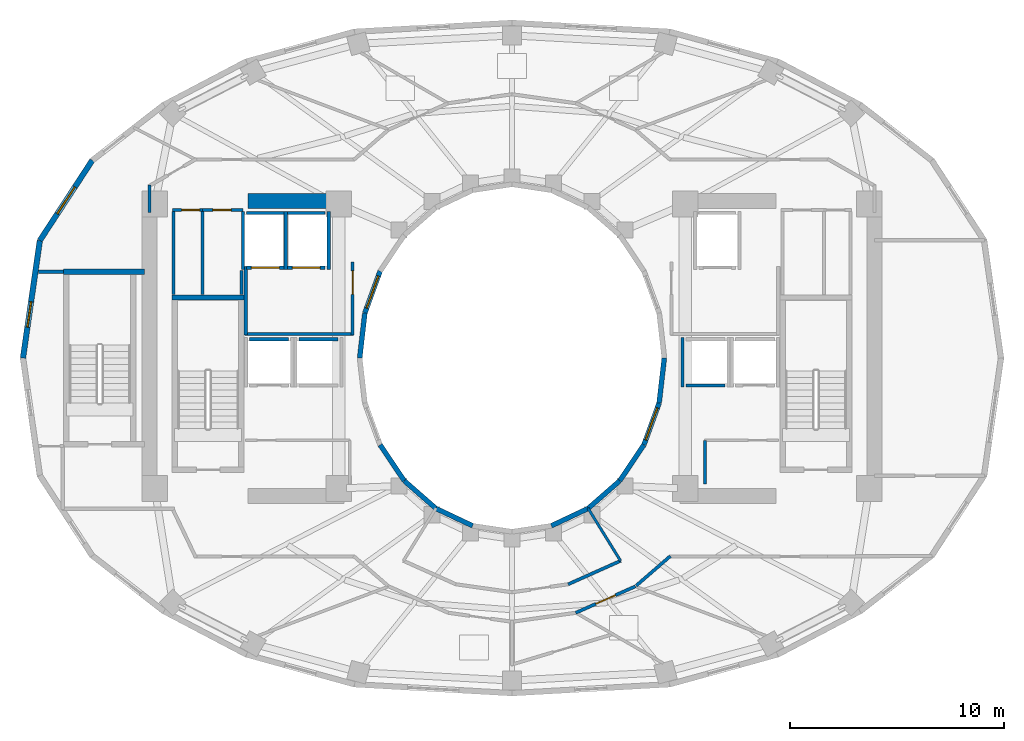
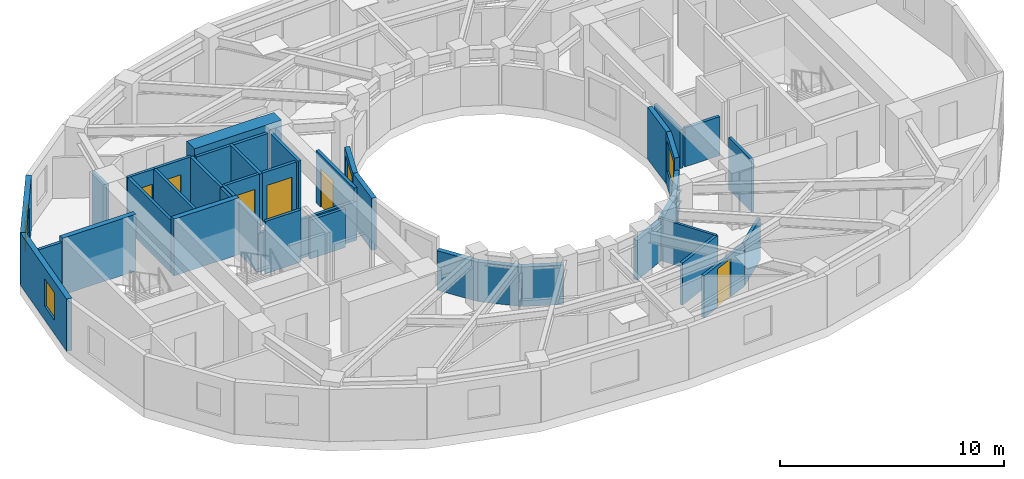
# One storey, part 4 of 9: 41 walls, 6 doors, 4 windows, 10 openings.
"""IFC4 building model written with IfcOpenShell, lengths in metres."""

from ifc_helpers import new_model, si_unit, direction, frame, frame_2d, origin, place, context, subcontext, project, spatial, rectangle, extrude, material, layer, layer_set, type_object, element, fill, save


model = new_model("IFC4")

# Units and contexts
model_context = context("Model", 3, precision=1e-05, world=origin(), true_north=direction((0.0, 1.0)))
body_context = subcontext(model_context, "Body", "Model", "MODEL_VIEW")
ifc_project = project(units=[si_unit("LENGTHUNIT", "METRE"), si_unit("AREAUNIT", "SQUARE_METRE"), si_unit("VOLUMEUNIT", "CUBIC_METRE"), si_unit("PLANEANGLEUNIT", "RADIAN"), si_unit("MASSUNIT", "GRAM", prefix="KILO")], contexts=[model_context])

# Site, building, storey
site_placement = place(None, origin())
site = spatial("IfcSite", under=ifc_project, at=site_placement, CompositionType="ELEMENT")
building_placement = place(site_placement, origin())
building = spatial("IfcBuilding", under=site, at=building_placement, Name="Solvane Sanctuary Tower", CompositionType="ELEMENT")
storey_placement = place(building_placement, frame((0.0, 0.0, 162.199951171875)))
storey = spatial("IfcBuildingStorey", under=building, at=storey_placement, Name="L49", CompositionType="ELEMENT", Elevation=162.199951171875)

# Walls
ifc_material_1 = material(Name="Concrete C60/75", Category="concrete")
ifc_layer_1 = layer(ifc_material_1, 0.699951171875, Name="Concrete C60/75")
ifc_layer_set_1 = layer_set([ifc_layer_1], Name="Concrete C60/75")
wall_type_1 = type_object("IfcWallType", Name="Wall W-CORE-700", PredefinedType="SHEAR", material=ifc_layer_set_1)
wall_1_placement = place(storey_placement, frame((19.64990234375, 30.35009765625, 0.0), z_axis=(0.0, 0.0, 1.0), x_axis=(1.0, 0.0, 0.0)))
element("IfcWall", 1, at=wall_1_placement, inside=storey, type_object=wall_type_1, Name="L49 Core Shear Wall WC-N", PredefinedType="SHEAR", context=body_context, shape_type="SweptSolid", body=[
    extrude(rectangle(XDim=4.5, YDim=0.699951171875, at=frame_2d((2.25, 0.0))), origin(), (0.0, 0.0, 1.0), 3.10009765625),
])
ifc_material_2 = material(Name="Acoustic Gypsum Partition Board")
ifc_layer_2 = layer(ifc_material_2, 0.14990234375, Name="Acoustic Gypsum Partition Board")
ifc_layer_set_2 = layer_set([ifc_layer_2], Name="Acoustic Gypsum Partition Board")
wall_type_2 = type_object("IfcWallType", Name="Wall W-CORR-150", PredefinedType="PARTITIONING", material=ifc_layer_set_2)
wall_2_placement = place(storey_placement, frame((19.52001953125, 24.1201171875, 0.0), z_axis=(0.0, 0.0, 1.0), x_axis=(1.0, 0.0, 0.0)))
element("IfcWall", 2, at=wall_2_placement, inside=storey, type_object=wall_type_2, Name="L49 West Firefighting Lobby South Wall", PredefinedType="PARTITIONING", context=body_context, shape_type="SweptSolid", body=[
    extrude(rectangle(XDim=5.080078125, YDim=0.14990234375, at=frame_2d((2.5400390625, 0.0))), origin(), (0.0, 0.0, 1.0), 2.1201171875),
])
wall_3_placement = place(storey_placement, frame((19.550048828125, 24.080078125, 0.0), z_axis=(0.0, 0.0, 1.0), x_axis=(0.0, 1.0, 0.0)))
element("IfcWall", 3, at=wall_3_placement, inside=storey, type_object=wall_type_2, Name="L49 West Firefighting Lobby West Wall", PredefinedType="PARTITIONING", context=body_context, shape_type="SweptSolid", body=[
    extrude(rectangle(XDim=3.199951171875, YDim=0.14990234375, at=frame_2d((1.60009765625, 0.0))), origin(), (0.0, 0.0, 1.0), 2.85498046875),
])

# Wall, opening, door
wall_4_placement = place(storey_placement, frame((24.550048828125, 24.080078125, 0.0), z_axis=(0.0, 0.0, 1.0), x_axis=(0.0, 1.0, 0.0)))
wall_4 = element("IfcWall", 4, at=wall_4_placement, inside=storey, type_object=wall_type_2, Name="L49 West Firefighting Lobby East Wall", PredefinedType="PARTITIONING", context=body_context, shape_type="SweptSolid", body=[
    extrude(rectangle(XDim=3.39990234375, YDim=0.14990234375, at=frame_2d((1.699951171875, 0.0))), origin(), (0.0, 0.0, 1.0), 2.85498046875),
])
opening_1_placement = place(wall_4_placement, frame((1.893798828125, 0.0, 0.0)))
opening_1 = element("IfcOpeningElement", 5, at=opening_1_placement, cuts=wall_4, Name="Opening D-L49-04", PredefinedType="OPENING", context=body_context, shape_type="SweptSolid", body=[
    extrude(rectangle(XDim=1.10009765625, YDim=2.10009765625, at=frame_2d((0.550048828125, 1.050048828125))), frame((0.0, 0.0849609375, 0.0), z_axis=(0.0, -1.0, 0.0), x_axis=(1.0, 0.0, 0.0)), (0.0, 0.0, 1.0), 0.169921875),
])
ifc_material_3 = material(Name="Architectural Stainless Steel 316", Category="steel")
door_type_1 = type_object("IfcDoorType", Name="Door D-FFL", OperationType="NOTDEFINED", PredefinedType="DOOR", material=ifc_material_3)
door_1_placement = place(opening_1_placement, origin())
door_1 = element("IfcDoor", 6, at=door_1_placement, inside=storey, type_object=door_type_1, Name="L49 West Firefighting Lobby Fire Door", OperationType="SINGLE_SWING_LEFT", OverallHeight=2.10009765625, OverallWidth=1.10009765625, PredefinedType="DOOR", context=body_context, shape_type="SweptSolid", body=[
    extrude(rectangle(XDim=1.10009765625, YDim=2.10009765625, at=frame_2d((0.550048828125, 1.050048828125))), frame((0.0, 0.02490234375, 0.0), z_axis=(0.0, -1.0, 0.0), x_axis=(1.0, 0.0, 0.0)), (0.0, 0.0, 1.0), 0.050048828125),
])
fill(opening_1, door_1)

# Walls
wall_5_placement = place(storey_placement, frame((9.869873046875, 27.030029296875, 0.0), z_axis=(0.0, 0.0, 1.0), x_axis=(1.0, 0.0, 0.0)))
element("IfcWall", 7, at=wall_5_placement, inside=storey, type_object=wall_type_2, Name="L49 NW Corner Closer 1", PredefinedType="PARTITIONING", context=body_context, shape_type="SweptSolid", body=[
    extrude(rectangle(XDim=1.170166015625, YDim=0.14990234375, at=frame_2d((0.5849609375, 0.0))), origin(), (0.0, 0.0, 1.0), 2.85498046875),
])
wall_6_placement = place(storey_placement, frame((15.050048828125, 29.800048828125, 0.0), z_axis=(0.0, 0.0, 1.0), x_axis=(0.0, 1.0, 0.0)))
element("IfcWall", 8, at=wall_6_placement, inside=storey, type_object=wall_type_2, Name="L49 NW Corner Closer 2", PredefinedType="PARTITIONING", context=body_context, shape_type="SweptSolid", body=[
    extrude(rectangle(XDim=1.2900390625, YDim=0.14990234375, at=frame_2d((0.64501953125, 0.0))), origin(), (0.0, 0.0, 1.0), 2.85498046875),
])
wall_7_placement = place(storey_placement, frame((37.806640625, 12.35791015625, 0.0), z_axis=(0.0, 0.0, 1.0), x_axis=(0.756055312247, 0.654507727092, 0.0)))
element("IfcWall", 9, at=wall_7_placement, inside=storey, type_object=wall_type_2, Name="L49 SE Corner Throat Wall", PredefinedType="PARTITIONING", context=body_context, shape_type="SweptSolid", body=[
    extrude(rectangle(XDim=2.11083984375, YDim=0.14990234375, at=frame_2d((1.055419921875, 0.0))), origin(), (0.0, 0.0, 1.0), 2.299072265625),
])
wall_8_placement = place(storey_placement, frame((34.625244140625, 12.422607421875, 0.0), z_axis=(0.0, 0.0, 1.0), x_axis=(0.912888568324, 0.408208845842, 0.0)))
element("IfcWall", 10, at=wall_8_placement, inside=storey, type_object=wall_type_2, Name="L49 Inner Light-Well Corridor Wall S1", PredefinedType="PARTITIONING", context=body_context, shape_type="SweptSolid", body=[
    extrude(rectangle(XDim=2.690185546875, YDim=0.14990234375, at=frame_2d((1.34521484375, 0.0))), origin(), (0.0, 0.0, 1.0), 2.299072265625),
])

# Wall, opening, door
wall_9_placement = place(storey_placement, frame((34.976318359375, 11.087890625, 0.0), z_axis=(0.0, 0.0, 1.0), x_axis=(0.914324470734, 0.404982422108, 0.0)))
wall_9 = element("IfcWall", 11, at=wall_9_placement, inside=storey, type_object=wall_type_2, Name="L49 Unit Corridor Wall S2", PredefinedType="PARTITIONING", context=body_context, shape_type="SweptSolid", body=[
    extrude(rectangle(XDim=3.0576171875, YDim=0.14990234375, at=frame_2d((1.52880859375, 0.0))), origin(), (0.0, 0.0, 1.0), 2.299072265625),
])
opening_2_placement = place(wall_9_placement, frame((1.02880859375, 0.0, 0.0)))
opening_2 = element("IfcOpeningElement", 12, at=opening_2_placement, cuts=wall_9, Name="Opening D-L49-25", PredefinedType="OPENING", context=body_context, shape_type="SweptSolid", body=[
    extrude(rectangle(XDim=1.0, YDim=2.10009765625, at=frame_2d((0.5, 1.050048828125))), frame((0.0, 0.0849609375, 0.0), z_axis=(0.0, -1.0, 0.0), x_axis=(1.0, 0.0, 0.0)), (0.0, 0.0, 1.0), 0.169921875),
])
ifc_material_4 = material(Name="Engineered Tropical Hardwood", Category="wood")
door_type_2 = type_object("IfcDoorType", Name="Door D-UNIT", OperationType="NOTDEFINED", PredefinedType="DOOR", material=ifc_material_4)
door_2_placement = place(opening_2_placement, origin())
door_2 = element("IfcDoor", 13, at=door_2_placement, inside=storey, type_object=door_type_2, Name="L49 Unit Entrance Door S2", OperationType="SINGLE_SWING_RIGHT", OverallHeight=2.10009765625, OverallWidth=1.0, PredefinedType="DOOR", context=body_context, shape_type="SweptSolid", body=[
    extrude(rectangle(XDim=1.0, YDim=2.10009765625, at=frame_2d((0.5, 1.050048828125))), frame((0.0, 0.02490234375, 0.0), z_axis=(0.0, -1.0, 0.0), x_axis=(1.0, 0.0, 0.0)), (0.0, 0.0, 1.0), 0.050048828125),
])
fill(opening_2, door_2)

# Wall, opening, window
ifc_material_5 = material(Name="Precast concrete C40/50", Category="concrete")
ifc_layer_3 = layer(ifc_material_5, 0.260009765625, Name="Precast concrete C40/50")
ifc_layer_set_3 = layer_set([ifc_layer_3], Name="Precast concrete C40/50")
wall_type_3 = type_object("IfcWallType", Name="Wall W-EXT-250", PredefinedType="STANDARD", material=ifc_layer_set_3)
wall_10_placement = place(storey_placement, frame((12.380859375, 32.243408203125, 0.0), z_axis=(0.0, 0.0, 1.0), x_axis=(-0.547456494366, -0.836834145322, 0.0)))
wall_10 = element("IfcWall", 14, at=wall_10_placement, inside=storey, type_object=wall_type_3, Name="L49 Ceramic-Printed Facade Wall 10", PredefinedType="STANDARD", context=body_context, shape_type="SweptSolid", body=[
    extrude(rectangle(XDim=4.477294921875, YDim=0.260009765625, at=frame_2d((2.23876953125, 0.0))), origin(), (0.0, 0.0, 1.0), 2.85009765625),
])
opening_3_placement = place(wall_10_placement, frame((1.48876953125, 0.0, 0.75)))
opening_3 = element("IfcOpeningElement", 15, at=opening_3_placement, cuts=wall_10, Name="Opening WN-OPER-1500", PredefinedType="OPENING", context=body_context, shape_type="SweptSolid", body=[
    extrude(rectangle(XDim=1.5, YDim=1.60009765625, at=frame_2d((0.75, 0.800048828125))), frame((0.0, 0.139892578125, 0.0), z_axis=(0.0, -1.0, 0.0), x_axis=(1.0, 0.0, 0.0)), (0.0, 0.0, 1.0), 0.280029296875),
])
ifc_material_6 = material(Name="Dark Ceramic-Fritted Low-E Glass", Category="glass")
window_type_1 = type_object("IfcWindowType", Name="Window WN-OPER-1500", PartitioningType="SINGLE_PANEL", PredefinedType="WINDOW", material=ifc_material_6)
window_1_placement = place(opening_3_placement, origin())
window_1 = element("IfcWindow", 16, at=window_1_placement, inside=storey, type_object=window_type_1, Name="L49 Operable Facade Window 10", OverallHeight=1.60009765625, OverallWidth=1.5, PartitioningType="SINGLE_PANEL", PredefinedType="WINDOW", context=body_context, shape_type="SweptSolid", body=[
    extrude(rectangle(XDim=1.5, YDim=1.60009765625, at=frame_2d((0.75, 0.800048828125))), frame((0.0, 0.030029296875, 0.0), z_axis=(0.0, -1.0, 0.0), x_axis=(1.0, 0.0, 0.0)), (0.0, 0.0, 1.0), 0.06005859375),
])
fill(opening_3, window_1)

wall_11_placement = place(storey_placement, frame((9.9296875, 28.49658203125, 0.0), z_axis=(0.0, 0.0, 1.0), x_axis=(-0.142227632286, -0.989833976288, 0.0)))
wall_11 = element("IfcWall", 17, at=wall_11_placement, inside=storey, type_object=wall_type_3, Name="L49 Ceramic-Printed Facade Wall 11", PredefinedType="STANDARD", context=body_context, shape_type="SweptSolid", body=[
    extrude(rectangle(XDim=5.552978515625, YDim=0.260009765625, at=frame_2d((2.7763671875, 0.0))), origin(), (0.0, 0.0, 1.0), 2.85009765625),
])
opening_4_placement = place(wall_11_placement, frame((2.892333984375, 0.0, 0.75)))
opening_4 = element("IfcOpeningElement", 18, at=opening_4_placement, cuts=wall_11, Name="Opening WN-OPER-1200", PredefinedType="OPENING", context=body_context, shape_type="SweptSolid", body=[
    extrude(rectangle(XDim=1.199951171875, YDim=1.5, at=frame_2d((0.60009765625, 0.75))), frame((0.0, 0.139892578125, 0.0), z_axis=(0.0, -1.0, 0.0), x_axis=(1.0, 0.0, 0.0)), (0.0, 0.0, 1.0), 0.280029296875),
])
window_type_2 = type_object("IfcWindowType", Name="Window WN-OPER-1200", PartitioningType="SINGLE_PANEL", PredefinedType="WINDOW", material=ifc_material_6)
window_2_placement = place(opening_4_placement, origin())
window_2 = element("IfcWindow", 19, at=window_2_placement, inside=storey, type_object=window_type_2, Name="L49 Operable Facade Window 11", OverallHeight=1.5, OverallWidth=1.199951171875, PartitioningType="SINGLE_PANEL", PredefinedType="WINDOW", context=body_context, shape_type="SweptSolid", body=[
    extrude(rectangle(XDim=1.199951171875, YDim=1.5, at=frame_2d((0.60009765625, 0.75))), frame((0.0, 0.030029296875, 0.0), z_axis=(0.0, -1.0, 0.0), x_axis=(1.0, 0.0, 0.0)), (0.0, 0.0, 1.0), 0.06005859375),
])
fill(opening_4, window_2)

ifc_layer_4 = layer(ifc_material_5, 0.22998046875, Name="Precast concrete C40/50")
ifc_layer_set_4 = layer_set([ifc_layer_4], Name="Precast concrete C40/50")
wall_type_4 = type_object("IfcWallType", Name="Wall W-EXT-SP220", PredefinedType="STANDARD", material=ifc_layer_set_4)
wall_12_placement = place(storey_placement, frame((25.833984375, 27.06005859375, 0.0), z_axis=(0.0, 0.0, 1.0), x_axis=(-0.341423187295, -0.93990968033, 0.0)))
wall_12 = element("IfcWall", 20, at=wall_12_placement, inside=storey, type_object=wall_type_4, Name="L49 Central Light-Well Wall 10", PredefinedType="STANDARD", context=body_context, shape_type="SweptSolid", body=[
    extrude(rectangle(XDim=2.083740234375, YDim=0.22998046875, at=frame_2d((1.0419921875, 0.0))), origin(), (0.0, 0.0, 1.0), 2.840087890625),
])
opening_5_placement = place(wall_12_placement, frame((0.24169921875, 0.0, 0.85009765625)))
opening_5 = element("IfcOpeningElement", 21, at=opening_5_placement, cuts=wall_12, Name="Opening WN-WELL-1600", PredefinedType="OPENING", context=body_context, shape_type="SweptSolid", body=[
    extrude(rectangle(XDim=1.60009765625, YDim=1.64990234375, at=frame_2d((0.800048828125, 0.824951171875))), frame((0.0, 0.125, 0.0), z_axis=(0.0, -1.0, 0.0), x_axis=(1.0, 0.0, 0.0)), (0.0, 0.0, 1.0), 0.25),
])
ifc_material_7 = material(Name="Clear Laminated Light-Well Glass", Category="glass")
window_type_3 = type_object("IfcWindowType", Name="Window WN-WELL-1600", PartitioningType="SINGLE_PANEL", PredefinedType="WINDOW", material=ifc_material_7)
window_3_placement = place(opening_5_placement, origin())
window_3 = element("IfcWindow", 22, at=window_3_placement, inside=storey, type_object=window_type_3, Name="L49 Light-Well Daylight Window 10", OverallHeight=1.64990234375, OverallWidth=1.60009765625, PartitioningType="SINGLE_PANEL", PredefinedType="WINDOW", context=body_context, shape_type="SweptSolid", body=[
    extrude(rectangle(XDim=1.60009765625, YDim=1.64990234375, at=frame_2d((0.800048828125, 0.824951171875))), frame((0.0, 0.030029296875, 0.0), z_axis=(0.0, -1.0, 0.0), x_axis=(1.0, 0.0, 0.0)), (0.0, 0.0, 1.0), 0.06005859375),
])
fill(opening_5, window_3)

# Walls
wall_13_placement = place(storey_placement, frame((25.12255859375, 25.1015625, 0.0), z_axis=(0.0, 0.0, 1.0), x_axis=(-0.114711713601, -0.993398823617, 0.0)))
element("IfcWall", 23, at=wall_13_placement, inside=storey, type_object=wall_type_4, Name="L49 Central Light-Well Wall 11", PredefinedType="STANDARD", context=body_context, shape_type="SweptSolid", body=[
    extrude(rectangle(XDim=2.115478515625, YDim=0.22998046875, at=frame_2d((1.0576171875, 0.0))), origin(), (0.0, 0.0, 1.0), 2.840087890625),
])
wall_14_placement = place(storey_placement, frame((25.833984375, 18.93994140625, 0.0), z_axis=(0.0, 0.0, 1.0), x_axis=(0.558197800898, -0.829707909492, 0.0)))
element("IfcWall", 24, at=wall_14_placement, inside=storey, type_object=wall_type_4, Name="L49 Central Light-Well Wall 14", PredefinedType="STANDARD", context=body_context, shape_type="SweptSolid", body=[
    extrude(rectangle(XDim=2.02685546875, YDim=0.22998046875, at=frame_2d((1.013427734375, 0.0))), origin(), (0.0, 0.0, 1.0), 2.16015625),
])
wall_15_placement = place(storey_placement, frame((26.96533203125, 17.25830078125, 0.0), z_axis=(0.0, 0.0, 1.0), x_axis=(0.752576694707, -0.658504607869, 0.0)))
element("IfcWall", 25, at=wall_15_placement, inside=storey, type_object=wall_type_4, Name="L49 Central Light-Well Wall 15", PredefinedType="STANDARD", context=body_context, shape_type="SweptSolid", body=[
    extrude(rectangle(XDim=1.95947265625, YDim=0.22998046875, at=frame_2d((0.979736328125, 0.0))), origin(), (0.0, 0.0, 1.0), 2.16015625),
])
for number, where, z_axis, x_axis, name in (
    (26, (28.43994140625, 15.968017578125, 0.0), (0.0, 0.0, 1.0), (0.904179699603, -0.427152280606, 0.0), "L49 Central Light-Well Wall 16"),
    (27, (33.8427734375, 15.15673828125, 0.0), (0.0, 0.0, 1.0), (0.904179699603, 0.427152280606, 0.0), "L49 Central Light-Well Wall 19"),
):
    element("IfcWall", number, at=place(storey_placement, frame(where, z_axis=z_axis, x_axis=x_axis)), inside=storey, type_object=wall_type_4, Name=name, PredefinedType="STANDARD", context=body_context, shape_type="SweptSolid", body=[
        extrude(rectangle(XDim=1.899169921875, YDim=0.22998046875, at=frame_2d((0.94970703125, 0.0))), origin(), (0.0, 0.0, 1.0), 2.16015625),
    ])
wall_16_placement = place(storey_placement, frame((35.56005859375, 15.968017578125, 0.0), z_axis=(0.0, 0.0, 1.0), x_axis=(0.752576694707, 0.658504607869, 0.0)))
element("IfcWall", 28, at=wall_16_placement, inside=storey, type_object=wall_type_4, Name="L49 Central Light-Well Wall 20", PredefinedType="STANDARD", context=body_context, shape_type="SweptSolid", body=[
    extrude(rectangle(XDim=1.95947265625, YDim=0.22998046875, at=frame_2d((0.979736328125, 0.0))), origin(), (0.0, 0.0, 1.0), 2.16015625),
])
wall_17_placement = place(storey_placement, frame((37.03466796875, 17.25830078125, 0.0), z_axis=(0.0, 0.0, 1.0), x_axis=(0.558197800898, 0.829707909492, 0.0)))
element("IfcWall", 29, at=wall_17_placement, inside=storey, type_object=wall_type_4, Name="L49 Central Light-Well Wall 21", PredefinedType="STANDARD", context=body_context, shape_type="SweptSolid", body=[
    extrude(rectangle(XDim=2.02685546875, YDim=0.22998046875, at=frame_2d((1.013427734375, 0.0))), origin(), (0.0, 0.0, 1.0), 2.16015625),
])

# Wall, opening, window
wall_18_placement = place(storey_placement, frame((38.166015625, 18.93994140625, 0.0), z_axis=(0.0, 0.0, 1.0), x_axis=(0.341423187295, 0.93990968033, 0.0)))
wall_18 = element("IfcWall", 30, at=wall_18_placement, inside=storey, type_object=wall_type_4, Name="L49 Central Light-Well Wall 22", PredefinedType="STANDARD", context=body_context, shape_type="SweptSolid", body=[
    extrude(rectangle(XDim=2.083740234375, YDim=0.22998046875, at=frame_2d((1.0419921875, 0.0))), origin(), (0.0, 0.0, 1.0), 2.840087890625),
])
opening_6_placement = place(wall_18_placement, frame((0.24169921875, 0.0, 0.85009765625)))
opening_6 = element("IfcOpeningElement", 31, at=opening_6_placement, cuts=wall_18, Name="Opening WN-WELL-1600", PredefinedType="OPENING", context=body_context, shape_type="SweptSolid", body=[
    extrude(rectangle(XDim=1.60009765625, YDim=1.64990234375, at=frame_2d((0.800048828125, 0.824951171875))), frame((0.0, 0.125, 0.0), z_axis=(0.0, -1.0, 0.0), x_axis=(1.0, 0.0, 0.0)), (0.0, 0.0, 1.0), 0.25),
])
window_4_placement = place(opening_6_placement, origin())
window_4 = element("IfcWindow", 32, at=window_4_placement, inside=storey, type_object=window_type_3, Name="L49 Light-Well Daylight Window 22", OverallHeight=1.64990234375, OverallWidth=1.60009765625, PartitioningType="SINGLE_PANEL", PredefinedType="WINDOW", context=body_context, shape_type="SweptSolid", body=[
    extrude(rectangle(XDim=1.60009765625, YDim=1.64990234375, at=frame_2d((0.800048828125, 0.824951171875))), frame((0.0, 0.030029296875, 0.0), z_axis=(0.0, -1.0, 0.0), x_axis=(1.0, 0.0, 0.0)), (0.0, 0.0, 1.0), 0.06005859375),
])
fill(opening_6, window_4)

# Walls
wall_19_placement = place(storey_placement, frame((38.87744140625, 20.8984375, 0.0), z_axis=(0.0, 0.0, 1.0), x_axis=(0.114711713601, 0.993398823617, 0.0)))
element("IfcWall", 33, at=wall_19_placement, inside=storey, type_object=wall_type_4, Name="L49 Central Light-Well Wall 23", PredefinedType="STANDARD", context=body_context, shape_type="SweptSolid", body=[
    extrude(rectangle(XDim=2.115478515625, YDim=0.22998046875, at=frame_2d((1.0576171875, 0.0))), origin(), (0.0, 0.0, 1.0), 2.840087890625),
])
ifc_layer_5 = layer(ifc_material_2, 0.125, Name="Acoustic Gypsum Partition Board")
ifc_layer_set_5 = layer_set([ifc_layer_5], Name="Acoustic Gypsum Partition Board")
wall_type_5 = type_object("IfcWallType", Name="Wall W-PART-125", PredefinedType="PARTITIONING", material=ifc_layer_set_5)
wall_20_placement = place(storey_placement, frame((41.02001953125, 17.10009765625, 0.0), z_axis=(0.0, 0.0, 1.0), x_axis=(0.0, 1.0, 0.0)))
element("IfcWall", 34, at=wall_20_placement, inside=storey, type_object=wall_type_5, Name="L49 Reclaimed Room Closer Wall PLE-1", PredefinedType="PARTITIONING", context=body_context, shape_type="SweptSolid", body=[
    extrude(rectangle(XDim=2.039794921875, YDim=0.125, at=frame_2d((1.02001953125, 0.0))), origin(), (0.0, 0.0, 1.0), 2.85498046875),
])
wall_21_placement = place(storey_placement, frame((35.550048828125, 15.985107421875, 0.0), z_axis=(0.0, 0.0, 1.0), x_axis=(0.525627246902, -0.850714991824, 0.0)))
element("IfcWall", 35, at=wall_21_placement, inside=storey, type_object=wall_type_5, Name="L49 Inner Light-Well Radial Wall 300", PredefinedType="PARTITIONING", context=body_context, shape_type="SweptSolid", body=[
    extrude(rectangle(XDim=2.901123046875, YDim=0.125, at=frame_2d((1.45068359375, 0.0))), origin(), (0.0, 0.0, 1.0), 2.299072265625),
])
ifc_material_8 = material(Name="Concrete C50/60", Category="concrete")
ifc_layer_6 = layer(ifc_material_8, 0.14990234375, Name="Concrete C50/60")
ifc_layer_set_6 = layer_set([ifc_layer_6], Name="Concrete C50/60")
wall_type_6 = type_object("IfcWallType", Name="Wall W-SHAFT-150", PredefinedType="SOLIDWALL", material=ifc_layer_set_6)
wall_22_placement = place(storey_placement, frame((19.739990234375, 23.8798828125, 0.0), z_axis=(0.0, 0.0, 1.0), x_axis=(1.0, 0.0, 0.0)))
element("IfcWall", 36, at=wall_22_placement, inside=storey, type_object=wall_type_6, Name="L49 PM-1 Lift Shaft Wall B", PredefinedType="SOLIDWALL", context=body_context, shape_type="SweptSolid", body=[
    extrude(rectangle(XDim=1.820068359375, YDim=0.14990234375, at=frame_2d((0.91015625, 0.0))), origin(), (0.0, 0.0, 1.0), 2.85498046875),
])
for number, where, z_axis, x_axis, name in (
    (37, (22.0400390625, 23.8798828125, 0.0), (0.0, 0.0, 1.0), (1.0, 0.0, 0.0), "L49 PH-1 Lift Shaft Wall B"),
    (38, (40.139892578125, 21.719970703125, 0.0), (0.0, 0.0, 1.0), (1.0, 0.0, 0.0), "L49 PH-2 Lift Shaft Wall F"),
):
    element("IfcWall", number, at=place(storey_placement, frame(where, z_axis=z_axis, x_axis=x_axis)), inside=storey, type_object=wall_type_6, Name=name, PredefinedType="SOLIDWALL", context=body_context, shape_type="SweptSolid", body=[
        extrude(rectangle(XDim=1.820068359375, YDim=0.14990234375, at=frame_2d((0.91015625, 0.0))), origin(), (0.0, 0.0, 1.0), 2.1201171875),
    ])
wall_23_placement = place(storey_placement, frame((39.969970703125, 21.639892578125, 0.0), z_axis=(0.0, 0.0, 1.0), x_axis=(0.0, 1.0, 0.0)))
element("IfcWall", 39, at=wall_23_placement, inside=storey, type_object=wall_type_6, Name="L49 PH-2 Lift Shaft Wall S1", PredefinedType="SOLIDWALL", context=body_context, shape_type="SweptSolid", body=[
    extrude(rectangle(XDim=2.320068359375, YDim=0.14990234375, at=frame_2d((1.16015625, 0.0))), origin(), (0.0, 0.0, 1.0), 2.1201171875),
])

# Wall, opening, door
wall_24_placement = place(storey_placement, frame((19.590087890625, 27.219970703125, 0.0), z_axis=(0.0, 0.0, 1.0), x_axis=(1.0, 0.0, 0.0)))
wall_24 = element("IfcWall", 40, at=wall_24_placement, inside=storey, type_object=wall_type_6, Name="L49 FFL-1 Lift Shaft Wall F", PredefinedType="SOLIDWALL", context=body_context, shape_type="SweptSolid", body=[
    extrude(rectangle(XDim=1.760009765625, YDim=0.14990234375, at=frame_2d((0.8798828125, 0.0))), origin(), (0.0, 0.0, 1.0), 2.85498046875),
])
opening_7_placement = place(wall_24_placement, frame((0.22998046875, 0.0, 0.0)))
opening_7 = element("IfcOpeningElement", 41, at=opening_7_placement, cuts=wall_24, Name="Opening LD-L49-03", PredefinedType="OPENING", context=body_context, shape_type="SweptSolid", body=[
    extrude(rectangle(XDim=1.300048828125, YDim=2.10009765625, at=frame_2d((0.64990234375, 1.050048828125))), frame((0.0, 0.0849609375, 0.0), z_axis=(0.0, -1.0, 0.0), x_axis=(1.0, 0.0, 0.0)), (0.0, 0.0, 1.0), 0.169921875),
])
door_type_3 = type_object("IfcDoorType", Name="Door LD-FFL-1300", OperationType="NOTDEFINED", PredefinedType="DOOR", material=ifc_material_3)
door_3_placement = place(opening_7_placement, origin())
door_3 = element("IfcDoor", 42, at=door_3_placement, inside=storey, type_object=door_type_3, Name="L49 FFL-1 Lift Landing Door", OperationType="DOUBLE_DOOR_SLIDING", OverallHeight=2.10009765625, OverallWidth=1.300048828125, PredefinedType="DOOR", context=body_context, shape_type="SweptSolid", body=[
    extrude(rectangle(XDim=1.300048828125, YDim=2.10009765625, at=frame_2d((0.64990234375, 1.050048828125))), frame((0.0, 0.02490234375, 0.0), z_axis=(0.0, -1.0, 0.0), x_axis=(1.0, 0.0, 0.0)), (0.0, 0.0, 1.0), 0.050048828125),
])
fill(opening_7, door_3)

# Walls
wall_25_placement = place(storey_placement, frame((19.590087890625, 29.780029296875, 0.0), z_axis=(0.0, 0.0, 1.0), x_axis=(1.0, 0.0, 0.0)))
element("IfcWall", 43, at=wall_25_placement, inside=storey, type_object=wall_type_6, Name="L49 FFL-1 Lift Shaft Wall B", PredefinedType="SOLIDWALL", context=body_context, shape_type="SweptSolid", body=[
    extrude(rectangle(XDim=1.760009765625, YDim=0.14990234375, at=frame_2d((0.8798828125, 0.0))), origin(), (0.0, 0.0, 1.0), 2.85498046875),
])
for number, where, z_axis, x_axis, name in (
    (44, (19.419921875, 27.139892578125, 0.0), (0.0, 0.0, 1.0), (0.0, 1.0, 0.0), "L49 FFL-1 Lift Shaft Wall S1"),
    (45, (21.425048828125, 27.139892578125, 0.0), (0.0, 0.0, 1.0), (0.0, 1.0, 0.0), "L49 FFL-1 Lift Shaft Wall S2"),
):
    element("IfcWall", number, at=place(storey_placement, frame(where, z_axis=z_axis, x_axis=x_axis)), inside=storey, type_object=wall_type_6, Name=name, PredefinedType="SOLIDWALL", context=body_context, shape_type="SweptSolid", body=[
        extrude(rectangle(XDim=2.72021484375, YDim=0.14990234375, at=frame_2d((1.360107421875, 0.0))), origin(), (0.0, 0.0, 1.0), 2.85498046875),
    ])

# Wall, opening, door
wall_26_placement = place(storey_placement, frame((21.5, 27.219970703125, 0.0), z_axis=(0.0, 0.0, 1.0), x_axis=(1.0, 0.0, 0.0)))
wall_26 = element("IfcWall", 46, at=wall_26_placement, inside=storey, type_object=wall_type_6, Name="L49 SVL-1 Lift Shaft Wall F", PredefinedType="SOLIDWALL", context=body_context, shape_type="SweptSolid", body=[
    extrude(rectangle(XDim=1.760009765625, YDim=0.14990234375, at=frame_2d((0.8798828125, 0.0))), origin(), (0.0, 0.0, 1.0), 2.85498046875),
])
opening_8_placement = place(wall_26_placement, frame((0.22998046875, 0.0, 0.0)))
opening_8 = element("IfcOpeningElement", 47, at=opening_8_placement, cuts=wall_26, Name="Opening LD-L49-04", PredefinedType="OPENING", context=body_context, shape_type="SweptSolid", body=[
    extrude(rectangle(XDim=1.300048828125, YDim=2.10009765625, at=frame_2d((0.64990234375, 1.050048828125))), frame((0.0, 0.0849609375, 0.0), z_axis=(0.0, -1.0, 0.0), x_axis=(1.0, 0.0, 0.0)), (0.0, 0.0, 1.0), 0.169921875),
])
door_4_placement = place(opening_8_placement, origin())
door_4 = element("IfcDoor", 48, at=door_4_placement, inside=storey, type_object=door_type_3, Name="L49 SVL-1 Lift Landing Door", OperationType="DOUBLE_DOOR_SLIDING", OverallHeight=2.10009765625, OverallWidth=1.300048828125, PredefinedType="DOOR", context=body_context, shape_type="SweptSolid", body=[
    extrude(rectangle(XDim=1.300048828125, YDim=2.10009765625, at=frame_2d((0.64990234375, 1.050048828125))), frame((0.0, 0.02490234375, 0.0), z_axis=(0.0, -1.0, 0.0), x_axis=(1.0, 0.0, 0.0)), (0.0, 0.0, 1.0), 0.050048828125),
])
fill(opening_8, door_4)

# Walls
wall_27_placement = place(storey_placement, frame((21.5, 29.780029296875, 0.0), z_axis=(0.0, 0.0, 1.0), x_axis=(1.0, 0.0, 0.0)))
element("IfcWall", 49, at=wall_27_placement, inside=storey, type_object=wall_type_6, Name="L49 SVL-1 Lift Shaft Wall B", PredefinedType="SOLIDWALL", context=body_context, shape_type="SweptSolid", body=[
    extrude(rectangle(XDim=1.760009765625, YDim=0.14990234375, at=frame_2d((0.8798828125, 0.0))), origin(), (0.0, 0.0, 1.0), 2.85498046875),
])
wall_28_placement = place(storey_placement, frame((23.429931640625, 27.139892578125, 0.0), z_axis=(0.0, 0.0, 1.0), x_axis=(0.0, 1.0, 0.0)))
element("IfcWall", 50, at=wall_28_placement, inside=storey, type_object=wall_type_6, Name="L49 SVL-1 Lift Shaft Wall S2", PredefinedType="SOLIDWALL", context=body_context, shape_type="SweptSolid", body=[
    extrude(rectangle(XDim=2.72021484375, YDim=0.14990234375, at=frame_2d((1.360107421875, 0.0))), origin(), (0.0, 0.0, 1.0), 2.85498046875),
])
ifc_layer_7 = layer(ifc_material_8, 0.25, Name="Concrete C50/60")
ifc_layer_set_7 = layer_set([ifc_layer_7], Name="Concrete C50/60")
wall_type_7 = type_object("IfcWallType", Name="Wall W-SHAFT-250", PredefinedType="SOLIDWALL", material=ifc_layer_set_7)
wall_29_placement = place(storey_placement, frame((16.10498046875, 25.830078125, 0.0), z_axis=(0.0, 0.0, 1.0), x_axis=(1.0, 0.0, 0.0)))
element("IfcWall", 51, at=wall_29_placement, inside=storey, type_object=wall_type_7, Name="L49 ST-1 Load-Bearing Shaft Wall N", PredefinedType="SOLIDWALL", context=body_context, shape_type="SweptSolid", body=[
    extrude(rectangle(XDim=3.3701171875, YDim=0.25, at=frame_2d((1.68505859375, 0.0))), origin(), (0.0, 0.0, 1.0), 3.10009765625),
])
wall_30_placement = place(storey_placement, frame((11.044921875, 27.030029296875, 0.0), z_axis=(0.0, 0.0, 1.0), x_axis=(1.0, 0.0, 0.0)))
element("IfcWall", 52, at=wall_30_placement, inside=storey, type_object=wall_type_7, Name="L49 ST-3 Load-Bearing Shaft Wall N", PredefinedType="SOLIDWALL", context=body_context, shape_type="SweptSolid", body=[
    extrude(rectangle(XDim=3.781982421875, YDim=0.25, at=frame_2d((1.89111328125, 0.0))), origin(), (0.0, 0.0, 1.0), 3.10009765625),
])

# Wall, opening, door
ifc_layer_8 = layer(ifc_material_2, 0.139892578125, Name="Acoustic Gypsum Partition Board")
ifc_layer_set_8 = layer_set([ifc_layer_8], Name="Acoustic Gypsum Partition Board")
wall_type_8 = type_object("IfcWallType", Name="Wall W-WET-140", PredefinedType="PLUMBINGWALL", material=ifc_layer_set_8)
wall_31_placement = place(storey_placement, frame((16.1201171875, 29.919921875, 0.0), z_axis=(0.0, 0.0, 1.0), x_axis=(1.0, 0.0, 0.0)))
wall_31 = element("IfcWall", 53, at=wall_31_placement, inside=storey, type_object=wall_type_8, Name="L49 Core Service Front Wall KW1", PredefinedType="PLUMBINGWALL", context=body_context, shape_type="SweptSolid", body=[
    extrude(rectangle(XDim=1.39990234375, YDim=0.139892578125, at=frame_2d((0.699951171875, 0.0))), origin(), (0.0, 0.0, 1.0), 2.85498046875),
])
opening_9_placement = place(wall_31_placement, frame((0.429931640625, 0.0, 0.0)))
opening_9 = element("IfcOpeningElement", 54, at=opening_9_placement, cuts=wall_31, Name="Opening D-L49-08", PredefinedType="OPENING", context=body_context, shape_type="SweptSolid", body=[
    extrude(rectangle(XDim=0.85009765625, YDim=2.050048828125, at=frame_2d((0.425048828125, 1.02490234375))), frame((0.0, 0.079833984375, 0.0), z_axis=(0.0, -1.0, 0.0), x_axis=(1.0, 0.0, 0.0)), (0.0, 0.0, 1.0), 0.159912109375),
])
door_type_4 = type_object("IfcDoorType", Name="Door D-RISER", OperationType="NOTDEFINED", PredefinedType="DOOR", material=ifc_material_3)
door_5_placement = place(opening_9_placement, origin())
door_5 = element("IfcDoor", 55, at=door_5_placement, inside=storey, type_object=door_type_4, Name="L49 Core Service Room Door KW1-1", OperationType="SINGLE_SWING_LEFT", OverallHeight=2.050048828125, OverallWidth=0.85009765625, PredefinedType="DOOR", context=body_context, shape_type="SweptSolid", body=[
    extrude(rectangle(XDim=0.85009765625, YDim=2.050048828125, at=frame_2d((0.425048828125, 1.02490234375))), frame((0.0, 0.02490234375, 0.0), z_axis=(0.0, -1.0, 0.0), x_axis=(1.0, 0.0, 0.0)), (0.0, 0.0, 1.0), 0.050048828125),
])
fill(opening_9, door_5)

# Walls
for number, where, z_axis, x_axis, name in (
    (56, (16.179931640625, 25.97998046875, 0.0), (0.0, 0.0, 1.0), (0.0, 1.0, 0.0), "L49 Core Service Side Wall KW1-1"),
    (57, (17.52001953125, 25.97998046875, 0.0), (0.0, 0.0, 1.0), (0.0, 1.0, 0.0), "L49 Core Service Side Wall KW1-2"),
):
    element("IfcWall", number, at=place(storey_placement, frame(where, z_axis=z_axis, x_axis=x_axis)), inside=storey, type_object=wall_type_8, Name=name, PredefinedType="PLUMBINGWALL", context=body_context, shape_type="SweptSolid", body=[
        extrude(rectangle(XDim=3.880126953125, YDim=0.139892578125, at=frame_2d((1.93994140625, 0.0))), origin(), (0.0, 0.0, 1.0), 2.85498046875),
    ])

# Wall, opening, door
wall_32_placement = place(storey_placement, frame((17.52001953125, 29.919921875, 0.0), z_axis=(0.0, 0.0, 1.0), x_axis=(1.0, 0.0, 0.0)))
wall_32 = element("IfcWall", 58, at=wall_32_placement, inside=storey, type_object=wall_type_8, Name="L49 Core Service Front Wall KW2", PredefinedType="PLUMBINGWALL", context=body_context, shape_type="SweptSolid", body=[
    extrude(rectangle(XDim=1.89990234375, YDim=0.139892578125, at=frame_2d((0.949951171875, 0.0))), origin(), (0.0, 0.0, 1.0), 2.85498046875),
])
opening_10_placement = place(wall_32_placement, frame((0.5, 0.0, 0.0)))
opening_10 = element("IfcOpeningElement", 59, at=opening_10_placement, cuts=wall_32, Name="Opening D-L49-09", PredefinedType="OPENING", context=body_context, shape_type="SweptSolid", body=[
    extrude(rectangle(XDim=0.85009765625, YDim=2.050048828125, at=frame_2d((0.425048828125, 1.02490234375))), frame((0.0, 0.079833984375, 0.0), z_axis=(0.0, -1.0, 0.0), x_axis=(1.0, 0.0, 0.0)), (0.0, 0.0, 1.0), 0.159912109375),
])
door_6_placement = place(opening_10_placement, origin())
door_6 = element("IfcDoor", 60, at=door_6_placement, inside=storey, type_object=door_type_4, Name="L49 Core Service Room Door KW2-1", OperationType="SINGLE_SWING_RIGHT", OverallHeight=2.050048828125, OverallWidth=0.85009765625, PredefinedType="DOOR", context=body_context, shape_type="SweptSolid", body=[
    extrude(rectangle(XDim=0.85009765625, YDim=2.050048828125, at=frame_2d((0.425048828125, 1.02490234375))), frame((0.0, 0.02490234375, 0.0), z_axis=(0.0, -1.0, 0.0), x_axis=(1.0, 0.0, 0.0)), (0.0, 0.0, 1.0), 0.050048828125),
])
fill(opening_10, door_6)

# Wall
wall_33_placement = place(storey_placement, frame((19.360107421875, 25.97998046875, 0.0), z_axis=(0.0, 0.0, 1.0), x_axis=(0.0, 1.0, 0.0)))
element("IfcWall", 61, at=wall_33_placement, inside=storey, type_object=wall_type_8, Name="L49 Core Service Side Wall KW2-1", PredefinedType="PLUMBINGWALL", context=body_context, shape_type="SweptSolid", body=[
    extrude(rectangle(XDim=1.1201171875, YDim=0.139892578125, at=frame_2d((0.56005859375, 0.0))), origin(), (0.0, 0.0, 1.0), 2.85498046875),
])

save(model, "model.ifc")
